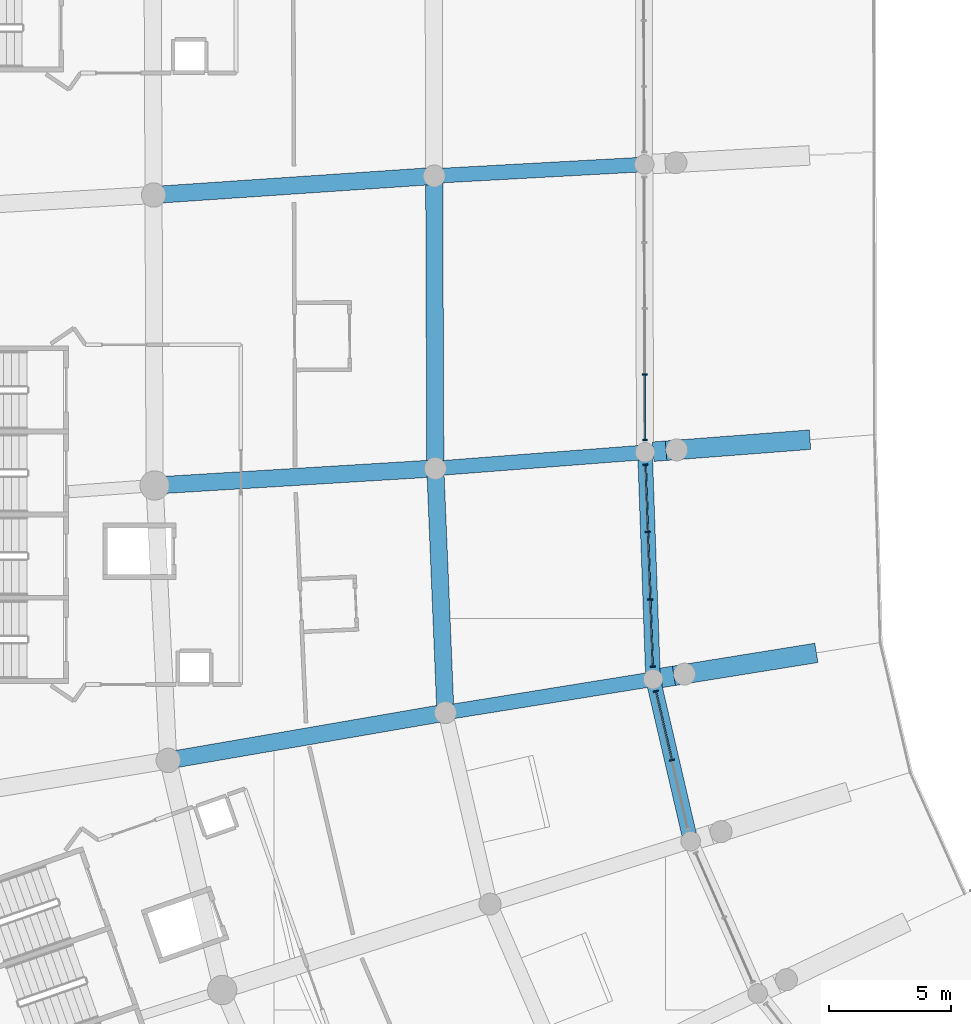
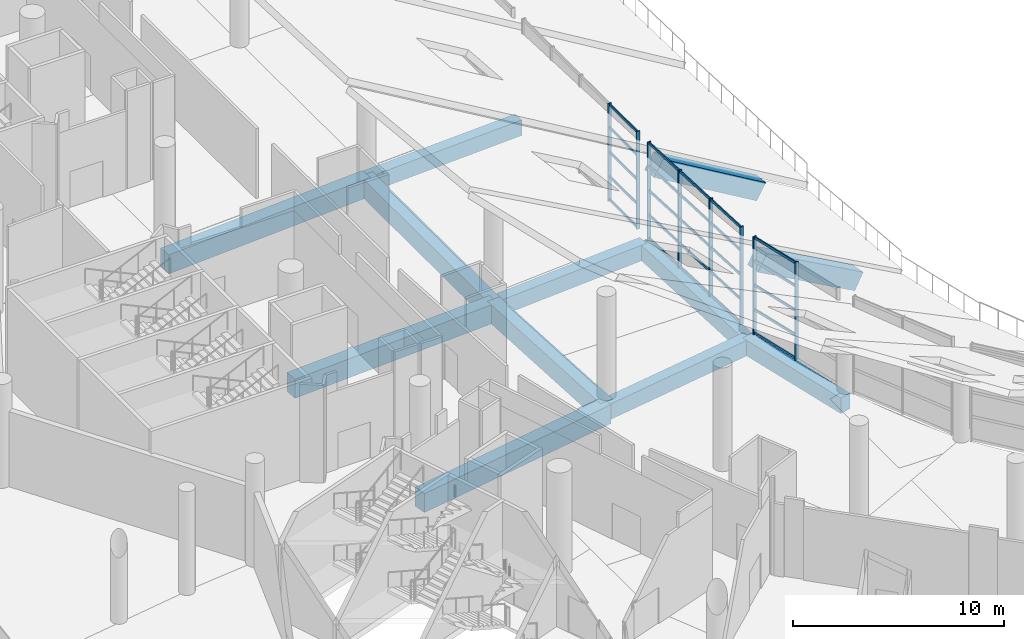
# One storey, part 22 of 249: 33 members, 12 beams, 3 elements without a shape of their own.
"""IFC4 building model written with IfcOpenShell, lengths in metres."""

from ifc_helpers import new_model, si_unit, direction, frame, origin, origin_2d, place, context, subcontext, project, spatial, rectangle, extrude, material, layer, layer_set, material_profile, profile_set, type_object, element, aggregate, save


model = new_model("IFC4")

# Units and contexts
model_context = context("Model", 3, precision=1e-05, world=origin(), true_north=direction((0.0, 1.0)))
body_context = subcontext(model_context, "Body", "Model", "MODEL_VIEW")
ifc_project = project(units=[si_unit("LENGTHUNIT", "METRE"), si_unit("AREAUNIT", "SQUARE_METRE"), si_unit("VOLUMEUNIT", "CUBIC_METRE"), si_unit("PLANEANGLEUNIT", "RADIAN"), si_unit("MASSUNIT", "GRAM", prefix="KILO")], contexts=[model_context])

# Site, building, storey
site_placement = place(None, origin())
site = spatial("IfcSite", under=ifc_project, at=site_placement, CompositionType="ELEMENT")
building_placement = place(site_placement, origin())
building = spatial("IfcBuilding", under=site, at=building_placement, Name="Meseta Stadium", CompositionType="ELEMENT")
storey_placement = place(building_placement, frame((0.0, 0.0, 12.0)))
storey = spatial("IfcBuildingStorey", under=building, at=storey_placement, Name="L02", CompositionType="ELEMENT", Elevation=12.0)

# Curtain wall, members
ifc_material_1 = material(Name="Aluminium", Category="aluminium")
ifc_layer = layer(ifc_material_1, 0.199951171875)
ifc_layer_set = layer_set([ifc_layer], Name="Suite glazing curtain wall")
curtain_wall_type = type_object("IfcCurtainWallType", Name="Suite glazing curtain wall", PredefinedType="NOTDEFINED", material=ifc_layer_set)
curtain_wall_1_placement = place(storey_placement, origin())
curtain_wall_1 = element("IfcCurtainWall", 1, at=curtain_wall_1_placement, inside=storey, type_object=curtain_wall_type, Name="Suite glazing bay 35", PredefinedType="NOTDEFINED")
ifc_material_2 = material(Name="Aluminium", Category="aluminium")
ifc_material_profile_1 = material_profile(ifc_material_2, rectangle(XDim=0.199951171875, YDim=0.06005859375, at=origin_2d()), Name="CW 200x60")
ifc_profile_set_1 = profile_set([ifc_material_profile_1], Name="Aluminium")
member_type_1 = type_object("IfcMemberType", Name="CW mullion 60x200", PredefinedType="MULLION", material=ifc_profile_set_1)
member_1_placement = place(storey_placement, frame((-64.839111328125, -38.02099609375, 0.0), z_axis=(0.0, 0.0, 1.0), x_axis=(0.999995765919, 0.002910007458, 0.0)))
member_1 = element("IfcMember", 2, at=member_1_placement, type_object=member_type_1, Name="CWS mullion 4", PredefinedType="MULLION", context=body_context, shape_type="SweptSolid", body=[
    extrude(rectangle(XDim=0.199951171875, YDim=0.06005859375, at=origin_2d()), origin(), (0.0, 0.0, 1.0), 5.64990234375),
])
member_2_placement = place(storey_placement, frame((-64.831298828125, -40.69384765625, 0.0), z_axis=(0.0, 0.0, 1.0), x_axis=(0.999995765919, 0.002910007458, 0.0)))
member_2 = element("IfcMember", 3, at=member_2_placement, type_object=member_type_1, Name="CWS mullion 5", PredefinedType="MULLION", context=body_context, shape_type="SweptSolid", body=[
    extrude(rectangle(XDim=0.199951171875, YDim=0.06005859375, at=origin_2d()), origin(), (0.0, 0.0, 1.0), 5.64990234375),
])

curtain_wall_2_placement = place(storey_placement, origin())
curtain_wall_2 = element("IfcCurtainWall", 4, at=curtain_wall_2_placement, inside=storey, type_object=curtain_wall_type, Name="Suite glazing bay 36", PredefinedType="NOTDEFINED")
member_3_placement = place(storey_placement, frame((-64.81201171875, -41.713134765625, 0.0), z_axis=(0.0, 0.0, 1.0), x_axis=(0.999374260798, 0.035370706156, 0.0)))
member_3 = element("IfcMember", 5, at=member_3_placement, type_object=member_type_1, Name="CWS mullion 1", PredefinedType="MULLION", context=body_context, shape_type="SweptSolid", body=[
    extrude(rectangle(XDim=0.199951171875, YDim=0.06005859375, at=origin_2d()), origin(), (0.0, 0.0, 1.0), 5.64990234375),
])
member_4_placement = place(storey_placement, frame((-64.71484375, -44.45458984375, 0.0), z_axis=(0.0, 0.0, 1.0), x_axis=(0.999374260798, 0.035370706156, 0.0)))
member_4 = element("IfcMember", 6, at=member_4_placement, type_object=member_type_1, Name="CWS mullion 2", PredefinedType="MULLION", context=body_context, shape_type="SweptSolid", body=[
    extrude(rectangle(XDim=0.199951171875, YDim=0.06005859375, at=origin_2d()), origin(), (0.0, 0.0, 1.0), 5.64990234375),
])
member_5_placement = place(storey_placement, frame((-64.61669921875, -47.225830078125, 0.0), z_axis=(0.0, 0.0, 1.0), x_axis=(0.999374260798, 0.035370706156, 0.0)))
member_5 = element("IfcMember", 7, at=member_5_placement, type_object=member_type_1, Name="CWS mullion 3", PredefinedType="MULLION", context=body_context, shape_type="SweptSolid", body=[
    extrude(rectangle(XDim=0.199951171875, YDim=0.06005859375, at=origin_2d()), origin(), (0.0, 0.0, 1.0), 5.64990234375),
])
member_6_placement = place(storey_placement, frame((-64.519775390625, -49.96728515625, 0.0), z_axis=(0.0, 0.0, 1.0), x_axis=(0.999374260798, 0.035370706156, 0.0)))
member_6 = element("IfcMember", 8, at=member_6_placement, type_object=member_type_1, Name="CWS mullion 4", PredefinedType="MULLION", context=body_context, shape_type="SweptSolid", body=[
    extrude(rectangle(XDim=0.199951171875, YDim=0.06005859375, at=origin_2d()), origin(), (0.0, 0.0, 1.0), 5.64990234375),
])

curtain_wall_3_placement = place(storey_placement, origin())
curtain_wall_3 = element("IfcCurtainWall", 9, at=curtain_wall_3_placement, inside=storey, type_object=curtain_wall_type, Name="Suite glazing bay 37", PredefinedType="NOTDEFINED")
member_7_placement = place(storey_placement, frame((-64.38623046875, -50.9765625, 0.0), z_axis=(0.0, 0.0, 1.0), x_axis=(0.974092857522, 0.226148413492, 0.0)))
member_7 = element("IfcMember", 10, at=member_7_placement, type_object=member_type_1, Name="CWS mullion 1", PredefinedType="MULLION", context=body_context, shape_type="SweptSolid", body=[
    extrude(rectangle(XDim=0.199951171875, YDim=0.06005859375, at=origin_2d()), origin(), (0.0, 0.0, 1.0), 5.64990234375),
])
member_8_placement = place(storey_placement, frame((-63.732666015625, -53.7919921875, 0.0), z_axis=(0.0, 0.0, 1.0), x_axis=(0.974092857522, 0.226148413492, 0.0)))
member_8 = element("IfcMember", 11, at=member_8_placement, type_object=member_type_1, Name="CWS mullion 2", PredefinedType="MULLION", context=body_context, shape_type="SweptSolid", body=[
    extrude(rectangle(XDim=0.199951171875, YDim=0.06005859375, at=origin_2d()), origin(), (0.0, 0.0, 1.0), 5.64990234375),
])

# Member
ifc_material_3 = material(Name="Aluminium", Category="aluminium")
ifc_material_profile_2 = material_profile(ifc_material_3, rectangle(XDim=0.06005859375, YDim=0.14990234375, at=origin_2d()), Name="CW 60x150")
ifc_profile_set_2 = profile_set([ifc_material_profile_2], Name="Aluminium")
member_type_2 = type_object("IfcMemberType", Name="CW transom 60x150", PredefinedType="USERDEFINED", material=ifc_profile_set_2)
member_9_placement = place(storey_placement, frame((-64.839111328125, -38.051025390625, 0.074951171875), z_axis=(0.002896642679, -0.999995804722, 0.0), x_axis=(0.999995804722, 0.002896642679, 0.0)))
member_9 = element("IfcMember", 12, at=member_9_placement, type_object=member_type_2, Name="CWS transom 4.1", ObjectType="TRANSOM", PredefinedType="USERDEFINED", context=body_context, shape_type="SweptSolid", body=[
    extrude(rectangle(XDim=0.06005859375, YDim=0.14990234375, at=origin_2d()), origin(), (0.0, 0.0, 1.0), 2.61279296875),
])

member_10_placement = place(storey_placement, frame((-64.839111328125, -38.051025390625, 1.41259765625), z_axis=(0.002896642679, -0.999995804722, 0.0), x_axis=(0.999995804722, 0.002896642679, 0.0)))
member_10 = element("IfcMember", 13, at=member_10_placement, type_object=member_type_2, Name="CWS transom 4.2", ObjectType="TRANSOM", PredefinedType="USERDEFINED", context=body_context, shape_type="SweptSolid", body=[
    extrude(rectangle(XDim=0.06005859375, YDim=0.14990234375, at=origin_2d()), origin(), (0.0, 0.0, 1.0), 2.61279296875),
])

member_11_placement = place(storey_placement, frame((-64.839111328125, -38.051025390625, 2.824951171875), z_axis=(0.002896642679, -0.999995804722, 0.0), x_axis=(0.999995804722, 0.002896642679, 0.0)))
member_11 = element("IfcMember", 14, at=member_11_placement, type_object=member_type_2, Name="CWS transom 4.3", ObjectType="TRANSOM", PredefinedType="USERDEFINED", context=body_context, shape_type="SweptSolid", body=[
    extrude(rectangle(XDim=0.06005859375, YDim=0.14990234375, at=origin_2d()), origin(), (0.0, 0.0, 1.0), 2.61279296875),
])

member_12_placement = place(storey_placement, frame((-64.839111328125, -38.051025390625, 4.237548828125), z_axis=(0.002896642679, -0.999995804722, 0.0), x_axis=(0.999995804722, 0.002896642679, 0.0)))
member_12 = element("IfcMember", 15, at=member_12_placement, type_object=member_type_2, Name="CWS transom 4.4", ObjectType="TRANSOM", PredefinedType="USERDEFINED", context=body_context, shape_type="SweptSolid", body=[
    extrude(rectangle(XDim=0.06005859375, YDim=0.14990234375, at=origin_2d()), origin(), (0.0, 0.0, 1.0), 2.61279296875),
])

member_13_placement = place(storey_placement, frame((-64.839111328125, -38.051025390625, 5.574951171875), z_axis=(0.002896642679, -0.999995804722, 0.0), x_axis=(0.999995804722, 0.002896642679, 0.0)))
member_13 = element("IfcMember", 16, at=member_13_placement, type_object=member_type_2, Name="CWS transom 4.5", ObjectType="TRANSOM", PredefinedType="USERDEFINED", context=body_context, shape_type="SweptSolid", body=[
    extrude(rectangle(XDim=0.06005859375, YDim=0.14990234375, at=origin_2d()), origin(), (0.0, 0.0, 1.0), 2.61279296875),
])

aggregate(curtain_wall_1, [member_1, member_2, member_9, member_10, member_11, member_12, member_13])

member_14_placement = place(storey_placement, frame((-64.810791015625, -41.742919921875, 0.074951171875), z_axis=(0.035392960757, -0.999373472896, 0.0), x_axis=(0.999373472896, 0.035392960757, 0.0)))
member_14 = element("IfcMember", 17, at=member_14_placement, type_object=member_type_2, Name="CWS transom 1.1", ObjectType="TRANSOM", PredefinedType="USERDEFINED", context=body_context, shape_type="SweptSolid", body=[
    extrude(rectangle(XDim=0.06005859375, YDim=0.14990234375, at=origin_2d()), origin(), (0.0, 0.0, 1.0), 2.683349609375),
])

member_15_placement = place(storey_placement, frame((-64.810791015625, -41.742919921875, 1.41259765625), z_axis=(0.035392960757, -0.999373472896, 0.0), x_axis=(0.999373472896, 0.035392960757, 0.0)))
member_15 = element("IfcMember", 18, at=member_15_placement, type_object=member_type_2, Name="CWS transom 1.2", ObjectType="TRANSOM", PredefinedType="USERDEFINED", context=body_context, shape_type="SweptSolid", body=[
    extrude(rectangle(XDim=0.06005859375, YDim=0.14990234375, at=origin_2d()), origin(), (0.0, 0.0, 1.0), 2.683349609375),
])

member_16_placement = place(storey_placement, frame((-64.810791015625, -41.742919921875, 2.824951171875), z_axis=(0.035392960757, -0.999373472896, 0.0), x_axis=(0.999373472896, 0.035392960757, 0.0)))
member_16 = element("IfcMember", 19, at=member_16_placement, type_object=member_type_2, Name="CWS transom 1.3", ObjectType="TRANSOM", PredefinedType="USERDEFINED", context=body_context, shape_type="SweptSolid", body=[
    extrude(rectangle(XDim=0.06005859375, YDim=0.14990234375, at=origin_2d()), origin(), (0.0, 0.0, 1.0), 2.683349609375),
])

member_17_placement = place(storey_placement, frame((-64.810791015625, -41.742919921875, 4.237548828125), z_axis=(0.035392960757, -0.999373472896, 0.0), x_axis=(0.999373472896, 0.035392960757, 0.0)))
member_17 = element("IfcMember", 20, at=member_17_placement, type_object=member_type_2, Name="CWS transom 1.4", ObjectType="TRANSOM", PredefinedType="USERDEFINED", context=body_context, shape_type="SweptSolid", body=[
    extrude(rectangle(XDim=0.06005859375, YDim=0.14990234375, at=origin_2d()), origin(), (0.0, 0.0, 1.0), 2.683349609375),
])

member_18_placement = place(storey_placement, frame((-64.810791015625, -41.742919921875, 5.574951171875), z_axis=(0.035392960757, -0.999373472896, 0.0), x_axis=(0.999373472896, 0.035392960757, 0.0)))
member_18 = element("IfcMember", 21, at=member_18_placement, type_object=member_type_2, Name="CWS transom 1.5", ObjectType="TRANSOM", PredefinedType="USERDEFINED", context=body_context, shape_type="SweptSolid", body=[
    extrude(rectangle(XDim=0.06005859375, YDim=0.14990234375, at=origin_2d()), origin(), (0.0, 0.0, 1.0), 2.683349609375),
])

member_19_placement = place(storey_placement, frame((-64.7138671875, -44.484375, 0.074951171875), z_axis=(0.035360963356, -0.999374605576, 0.0), x_axis=(0.999374605576, 0.035360963356, 0.0)))
member_19 = element("IfcMember", 22, at=member_19_placement, type_object=member_type_2, Name="CWS transom 2.1", ObjectType="TRANSOM", PredefinedType="USERDEFINED", context=body_context, shape_type="SweptSolid", body=[
    extrude(rectangle(XDim=0.06005859375, YDim=0.14990234375, at=origin_2d()), origin(), (0.0, 0.0, 1.0), 2.71337890625),
])

member_20_placement = place(storey_placement, frame((-64.7138671875, -44.484375, 1.41259765625), z_axis=(0.035360963356, -0.999374605576, 0.0), x_axis=(0.999374605576, 0.035360963356, 0.0)))
member_20 = element("IfcMember", 23, at=member_20_placement, type_object=member_type_2, Name="CWS transom 2.2", ObjectType="TRANSOM", PredefinedType="USERDEFINED", context=body_context, shape_type="SweptSolid", body=[
    extrude(rectangle(XDim=0.06005859375, YDim=0.14990234375, at=origin_2d()), origin(), (0.0, 0.0, 1.0), 2.71337890625),
])

member_21_placement = place(storey_placement, frame((-64.7138671875, -44.484375, 2.824951171875), z_axis=(0.035360963356, -0.999374605576, 0.0), x_axis=(0.999374605576, 0.035360963356, 0.0)))
member_21 = element("IfcMember", 24, at=member_21_placement, type_object=member_type_2, Name="CWS transom 2.3", ObjectType="TRANSOM", PredefinedType="USERDEFINED", context=body_context, shape_type="SweptSolid", body=[
    extrude(rectangle(XDim=0.06005859375, YDim=0.14990234375, at=origin_2d()), origin(), (0.0, 0.0, 1.0), 2.71337890625),
])

member_22_placement = place(storey_placement, frame((-64.7138671875, -44.484375, 4.237548828125), z_axis=(0.035360963356, -0.999374605576, 0.0), x_axis=(0.999374605576, 0.035360963356, 0.0)))
member_22 = element("IfcMember", 25, at=member_22_placement, type_object=member_type_2, Name="CWS transom 2.4", ObjectType="TRANSOM", PredefinedType="USERDEFINED", context=body_context, shape_type="SweptSolid", body=[
    extrude(rectangle(XDim=0.06005859375, YDim=0.14990234375, at=origin_2d()), origin(), (0.0, 0.0, 1.0), 2.71337890625),
])

member_23_placement = place(storey_placement, frame((-64.7138671875, -44.484375, 5.574951171875), z_axis=(0.035360963356, -0.999374605576, 0.0), x_axis=(0.999374605576, 0.035360963356, 0.0)))
member_23 = element("IfcMember", 26, at=member_23_placement, type_object=member_type_2, Name="CWS transom 2.5", ObjectType="TRANSOM", PredefinedType="USERDEFINED", context=body_context, shape_type="SweptSolid", body=[
    extrude(rectangle(XDim=0.06005859375, YDim=0.14990234375, at=origin_2d()), origin(), (0.0, 0.0, 1.0), 2.71337890625),
])

member_24_placement = place(storey_placement, frame((-64.61572265625, -47.255859375, 0.074951171875), z_axis=(0.035396179242, -0.999373358908, 0.0), x_axis=(0.999373358908, 0.035396179242, 0.0)))
member_24 = element("IfcMember", 27, at=member_24_placement, type_object=member_type_2, Name="CWS transom 3.1", ObjectType="TRANSOM", PredefinedType="USERDEFINED", context=body_context, shape_type="SweptSolid", body=[
    extrude(rectangle(XDim=0.06005859375, YDim=0.14990234375, at=origin_2d()), origin(), (0.0, 0.0, 1.0), 2.68310546875),
])

member_25_placement = place(storey_placement, frame((-64.61572265625, -47.255859375, 1.41259765625), z_axis=(0.035396179242, -0.999373358908, 0.0), x_axis=(0.999373358908, 0.035396179242, 0.0)))
member_25 = element("IfcMember", 28, at=member_25_placement, type_object=member_type_2, Name="CWS transom 3.2", ObjectType="TRANSOM", PredefinedType="USERDEFINED", context=body_context, shape_type="SweptSolid", body=[
    extrude(rectangle(XDim=0.06005859375, YDim=0.14990234375, at=origin_2d()), origin(), (0.0, 0.0, 1.0), 2.68310546875),
])

member_26_placement = place(storey_placement, frame((-64.61572265625, -47.255859375, 2.824951171875), z_axis=(0.035396179242, -0.999373358908, 0.0), x_axis=(0.999373358908, 0.035396179242, 0.0)))
member_26 = element("IfcMember", 29, at=member_26_placement, type_object=member_type_2, Name="CWS transom 3.3", ObjectType="TRANSOM", PredefinedType="USERDEFINED", context=body_context, shape_type="SweptSolid", body=[
    extrude(rectangle(XDim=0.06005859375, YDim=0.14990234375, at=origin_2d()), origin(), (0.0, 0.0, 1.0), 2.68310546875),
])

member_27_placement = place(storey_placement, frame((-64.61572265625, -47.255859375, 4.237548828125), z_axis=(0.035396179242, -0.999373358908, 0.0), x_axis=(0.999373358908, 0.035396179242, 0.0)))
member_27 = element("IfcMember", 30, at=member_27_placement, type_object=member_type_2, Name="CWS transom 3.4", ObjectType="TRANSOM", PredefinedType="USERDEFINED", context=body_context, shape_type="SweptSolid", body=[
    extrude(rectangle(XDim=0.06005859375, YDim=0.14990234375, at=origin_2d()), origin(), (0.0, 0.0, 1.0), 2.68310546875),
])

member_28_placement = place(storey_placement, frame((-64.61572265625, -47.255859375, 5.574951171875), z_axis=(0.035396179242, -0.999373358908, 0.0), x_axis=(0.999373358908, 0.035396179242, 0.0)))
member_28 = element("IfcMember", 31, at=member_28_placement, type_object=member_type_2, Name="CWS transom 3.5", ObjectType="TRANSOM", PredefinedType="USERDEFINED", context=body_context, shape_type="SweptSolid", body=[
    extrude(rectangle(XDim=0.06005859375, YDim=0.14990234375, at=origin_2d()), origin(), (0.0, 0.0, 1.0), 2.68310546875),
])

aggregate(curtain_wall_2, [member_3, member_4, member_5, member_6, member_14, member_15, member_16, member_17, member_18, member_19, member_20, member_21, member_22, member_23, member_24, member_25, member_26, member_27, member_28])

member_29_placement = place(storey_placement, frame((-64.37939453125, -51.005859375, 0.074951171875), z_axis=(0.226100473584, -0.974103986156, 0.0), x_axis=(0.974103986156, 0.226100473584, 0.0)))
member_29 = element("IfcMember", 32, at=member_29_placement, type_object=member_type_2, Name="CWS transom 1.1", ObjectType="TRANSOM", PredefinedType="USERDEFINED", context=body_context, shape_type="SweptSolid", body=[
    extrude(rectangle(XDim=0.06005859375, YDim=0.14990234375, at=origin_2d()), origin(), (0.0, 0.0, 1.0), 2.830078125),
])

member_30_placement = place(storey_placement, frame((-64.37939453125, -51.005859375, 1.41259765625), z_axis=(0.226100473584, -0.974103986156, 0.0), x_axis=(0.974103986156, 0.226100473584, 0.0)))
member_30 = element("IfcMember", 33, at=member_30_placement, type_object=member_type_2, Name="CWS transom 1.2", ObjectType="TRANSOM", PredefinedType="USERDEFINED", context=body_context, shape_type="SweptSolid", body=[
    extrude(rectangle(XDim=0.06005859375, YDim=0.14990234375, at=origin_2d()), origin(), (0.0, 0.0, 1.0), 2.830078125),
])

member_31_placement = place(storey_placement, frame((-64.37939453125, -51.005859375, 2.824951171875), z_axis=(0.226100473584, -0.974103986156, 0.0), x_axis=(0.974103986156, 0.226100473584, 0.0)))
member_31 = element("IfcMember", 34, at=member_31_placement, type_object=member_type_2, Name="CWS transom 1.3", ObjectType="TRANSOM", PredefinedType="USERDEFINED", context=body_context, shape_type="SweptSolid", body=[
    extrude(rectangle(XDim=0.06005859375, YDim=0.14990234375, at=origin_2d()), origin(), (0.0, 0.0, 1.0), 2.830078125),
])

member_32_placement = place(storey_placement, frame((-64.37939453125, -51.005859375, 4.237548828125), z_axis=(0.226100473584, -0.974103986156, 0.0), x_axis=(0.974103986156, 0.226100473584, 0.0)))
member_32 = element("IfcMember", 35, at=member_32_placement, type_object=member_type_2, Name="CWS transom 1.4", ObjectType="TRANSOM", PredefinedType="USERDEFINED", context=body_context, shape_type="SweptSolid", body=[
    extrude(rectangle(XDim=0.06005859375, YDim=0.14990234375, at=origin_2d()), origin(), (0.0, 0.0, 1.0), 2.830078125),
])

member_33_placement = place(storey_placement, frame((-64.37939453125, -51.005859375, 5.574951171875), z_axis=(0.226100473584, -0.974103986156, 0.0), x_axis=(0.974103986156, 0.226100473584, 0.0)))
member_33 = element("IfcMember", 36, at=member_33_placement, type_object=member_type_2, Name="CWS transom 1.5", ObjectType="TRANSOM", PredefinedType="USERDEFINED", context=body_context, shape_type="SweptSolid", body=[
    extrude(rectangle(XDim=0.06005859375, YDim=0.14990234375, at=origin_2d()), origin(), (0.0, 0.0, 1.0), 2.830078125),
])

aggregate(curtain_wall_3, [member_7, member_8, member_29, member_30, member_31, member_32, member_33])

# Beams
ifc_material_4 = material(Name="Concrete C40/50", Category="concrete")
ifc_material_profile_3 = material_profile(ifc_material_4, rectangle(XDim=0.60009765625, YDim=0.89990234375, at=origin_2d()), Name="RC 600x900")
ifc_profile_set_3 = profile_set([ifc_material_profile_3], Name="Concrete C40/50")
beam_type_1 = type_object("IfcBeamType", Name="RC beam 600x900", PredefinedType="BEAM", material=ifc_profile_set_3)
beam_1_placement = place(storey_placement, frame((-64.829833984375, -41.2041015625, -0.800048828125), z_axis=(0.035352824386, -0.999374893525, 0.0), x_axis=(0.999374893525, 0.035352824386, 0.0)))
element("IfcBeam", 37, at=beam_1_placement, inside=storey, type_object=beam_type_1, Name="L02 ring beam frame 36 line D", PredefinedType="BEAM", context=body_context, shape_type="SweptSolid", body=[
    extrude(rectangle(XDim=0.60009765625, YDim=0.89990234375, at=origin_2d()), origin(), (0.0, 0.0, 1.0), 9.281494140625),
])
beam_2_placement = place(storey_placement, frame((-64.501708984375, -50.479736328125, -0.800048828125), z_axis=(0.226157078617, -0.974090845759, 0.0), x_axis=(0.974090845759, 0.226157078617, 0.0)))
element("IfcBeam", 38, at=beam_2_placement, inside=storey, type_object=beam_type_1, Name="L02 ring beam frame 37 line D", PredefinedType="BEAM", context=body_context, shape_type="SweptSolid", body=[
    extrude(rectangle(XDim=0.60009765625, YDim=0.89990234375, at=origin_2d()), origin(), (0.0, 0.0, 1.0), 6.801025390625),
])
for number, where, z_axis, x_axis, name in (
    (39, (-64.8642578125, -29.433349609375, -0.800048828125), (-0.998501047384, -0.054732607948, 0.0), (0.054732607948, -0.998501047384, 0.0), "L02 radial beam frame 35 line D to E"),
    (40, (-64.829833984375, -41.2041015625, -0.800048828125), (-0.997066996267, -0.076533685105, 0.0), (0.076533685105, -0.997066996267, 0.0), "L02 radial beam frame 36 line D to E"),
):
    element("IfcBeam", number, at=place(storey_placement, frame(where, z_axis=z_axis, x_axis=x_axis)), inside=storey, type_object=beam_type_1, Name=name, PredefinedType="BEAM", context=body_context, shape_type="SweptSolid", body=[
        extrude(rectangle(XDim=0.60009765625, YDim=0.89990234375, at=origin_2d()), origin(), (0.0, 0.0, 1.0), 8.60009765625),
    ])
beam_3_placement = place(storey_placement, frame((-64.501708984375, -50.479736328125, -0.800048828125), z_axis=(-0.987277660392, -0.159005727229, 0.0), x_axis=(0.159005727229, -0.987277660392, 0.0)))
element("IfcBeam", 41, at=beam_3_placement, inside=storey, type_object=beam_type_1, Name="L02 radial beam frame 37 line D to E", PredefinedType="BEAM", context=body_context, shape_type="SweptSolid", body=[
    extrude(rectangle(XDim=0.60009765625, YDim=0.89990234375, at=origin_2d()), origin(), (0.0, 0.0, 1.0), 8.599853515625),
])
ifc_material_5 = material(Name="Concrete C40/50", Category="concrete")
ifc_material_profile_4 = material_profile(ifc_material_5, rectangle(XDim=0.699951171875, YDim=1.10009765625, at=origin_2d()), Name="RC 700x1100")
ifc_profile_set_4 = profile_set([ifc_material_profile_4], Name="Concrete C40/50")
beam_type_2 = type_object("IfcBeamType", Name="RC beam 700x1100", PredefinedType="BEAM", material=ifc_profile_set_4)
beam_4_placement = place(storey_placement, frame((-73.451416015625, -29.904052734375, -0.89990234375), z_axis=(0.003899441576, -0.999992397149, 0.0), x_axis=(0.999992397149, 0.003899441576, 0.0)))
element("IfcBeam", 42, at=beam_4_placement, inside=storey, type_object=beam_type_2, Name="L02 ring beam frame 35 line E", PredefinedType="BEAM", context=body_context, shape_type="SweptSolid", body=[
    extrude(rectangle(XDim=0.699951171875, YDim=1.10009765625, at=origin_2d()), origin(), (0.0, 0.0, 1.0), 11.958251953125),
])
beam_5_placement = place(storey_placement, frame((-73.40478515625, -41.8623046875, -0.89990234375), z_axis=(0.041287079546, -0.999147325004, 0.0), x_axis=(0.999147325004, 0.041287079546, 0.0)))
element("IfcBeam", 43, at=beam_5_placement, inside=storey, type_object=beam_type_2, Name="L02 ring beam frame 36 line E", PredefinedType="BEAM", context=body_context, shape_type="SweptSolid", body=[
    extrude(rectangle(XDim=0.699951171875, YDim=1.10009765625, at=origin_2d()), origin(), (0.0, 0.0, 1.0), 9.993408203125),
])
beam_6_placement = place(storey_placement, frame((-73.451416015625, -29.904052734375, -0.89990234375), z_axis=(-0.997711474421, -0.067615189183, 0.0), x_axis=(0.067615189183, -0.997711474421, 0.0)))
element("IfcBeam", 44, at=beam_6_placement, inside=storey, type_object=beam_type_2, Name="L02 radial beam frame 35 line E to P", PredefinedType="BEAM", context=body_context, shape_type="SweptSolid", body=[
    extrude(rectangle(XDim=0.699951171875, YDim=1.10009765625, at=origin_2d()), origin(), (0.0, 0.0, 1.0), 11.500244140625),
])
beam_7_placement = place(storey_placement, frame((-73.40478515625, -41.8623046875, -0.89990234375), z_axis=(-0.998150037989, -0.060798862349, 0.0), x_axis=(0.060798862349, -0.998150037989, 0.0)))
element("IfcBeam", 45, at=beam_7_placement, inside=storey, type_object=beam_type_2, Name="L02 radial beam frame 36 line E to P", PredefinedType="BEAM", context=body_context, shape_type="SweptSolid", body=[
    extrude(rectangle(XDim=0.699951171875, YDim=1.10009765625, at=origin_2d()), origin(), (0.0, 0.0, 1.0), 11.50048828125),
])
beam_8_placement = place(storey_placement, frame((-72.9921875, -51.84716796875, -0.89990234375), z_axis=(-0.985454599583, -0.169938907145, 0.0), x_axis=(0.169938907145, -0.985454599583, 0.0)))
element("IfcBeam", 46, at=beam_8_placement, inside=storey, type_object=beam_type_2, Name="L02 radial beam frame 37 line E to P", PredefinedType="BEAM", context=body_context, shape_type="SweptSolid", body=[
    extrude(rectangle(XDim=0.699951171875, YDim=1.10009765625, at=origin_2d()), origin(), (0.0, 0.0, 1.0), 11.500244140625),
])
ifc_material_6 = material(Name="Concrete C40/50", Category="concrete")
ifc_material_profile_5 = material_profile(ifc_material_6, rectangle(XDim=0.800048828125, YDim=1.0, at=origin_2d()), Name="RC 800x1000")
ifc_profile_set_5 = profile_set([ifc_material_profile_5], Name="Concrete C40/50")
beam_type_3 = type_object("IfcBeamType", Name="RC raker upper front 800x1000", PredefinedType="USERDEFINED", material=ifc_profile_set_5)
beam_9_placement = place(storey_placement, frame((-58.34912109375, -40.70654296875, 0.103271484375), z_axis=(-0.845520766678, -0.064918589681, 0.5299813297), x_axis=(0.076554100174, -0.99706542902, 0.0)))
element("IfcBeam", 47, at=beam_9_placement, inside=storey, type_object=beam_type_3, Name="Raker upper front frame 36 upper tier", ObjectType="RAKER", PredefinedType="USERDEFINED", context=body_context, shape_type="SweptSolid", body=[
    extrude(rectangle(XDim=0.800048828125, YDim=1.0, at=origin_2d()), origin(), (0.0, 0.0, 1.0), 6.957275390625),
])
beam_10_placement = place(storey_placement, frame((-58.084228515625, -49.4462890625, 0.111083984375), z_axis=(-0.837415099284, -0.134848435033, 0.529671455773), x_axis=(0.158981342824, -0.987281587306, 0.0)))
element("IfcBeam", 48, at=beam_10_placement, inside=storey, type_object=beam_type_3, Name="Raker upper front frame 37 upper tier", ObjectType="RAKER", PredefinedType="USERDEFINED", context=body_context, shape_type="SweptSolid", body=[
    extrude(rectangle(XDim=0.800048828125, YDim=1.0, at=origin_2d()), origin(), (0.0, 0.0, 1.0), 6.955810546875),
])

save(model, "model.ifc")
